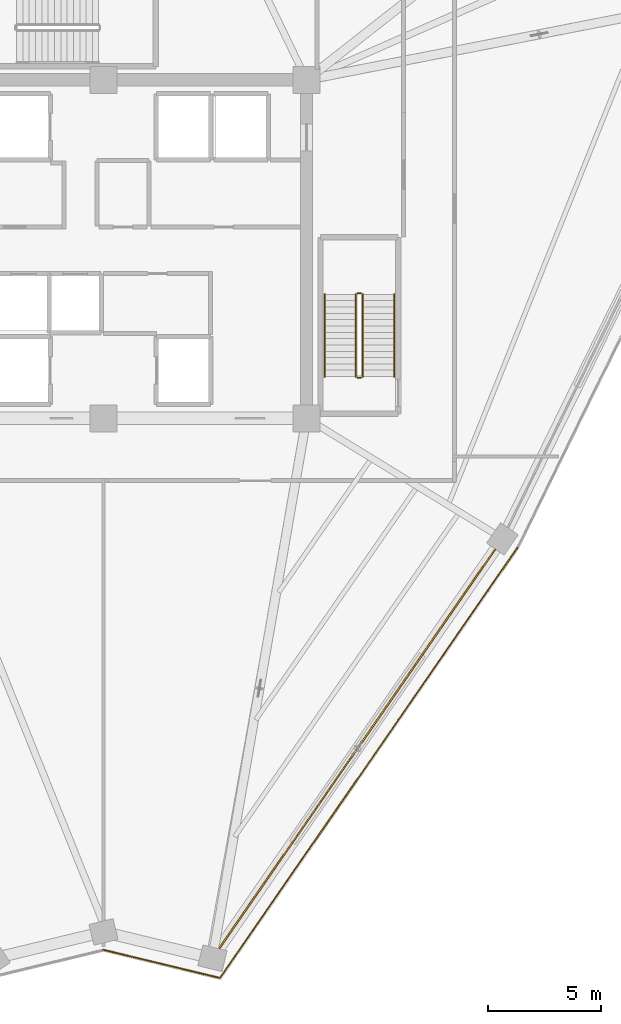
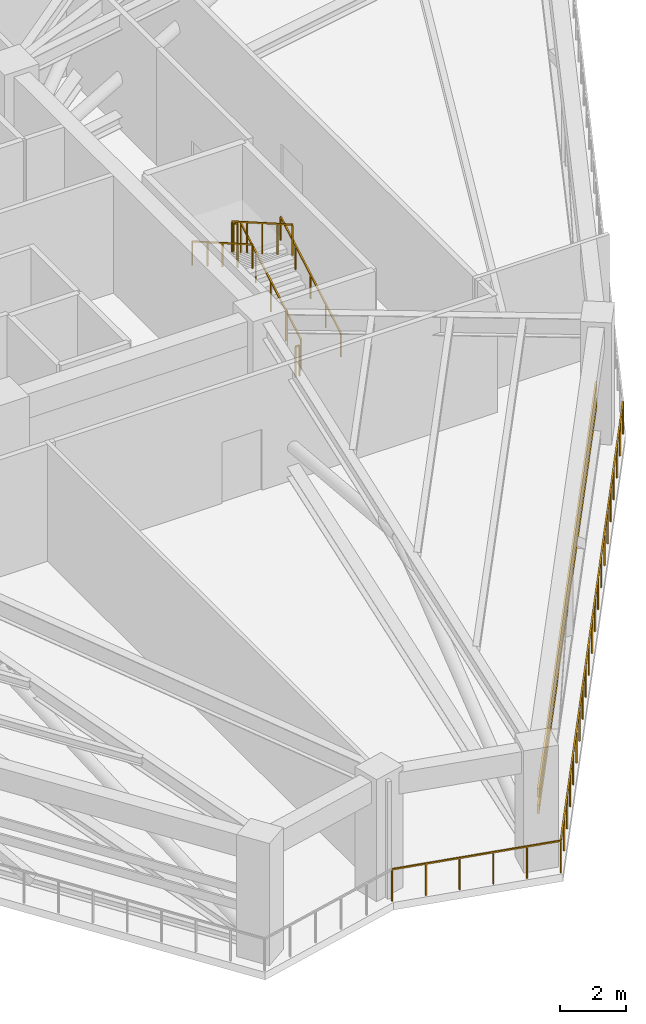
# One storey, part 19 of 22: 8 railings, 2 shading devices.
"""IFC4 building model written with IfcOpenShell, lengths in metres."""

import ifcopenshell
import ifcopenshell.guid

model = None  # the IFC model being written
_history = None  # IfcOwnerHistory: only IFC2X3 demands one
_inside = {}  # id of a spatial element -> (the spatial element, [elements in it])
_under = {}  # id of a project, library or spatial element -> (it, [spatial elements below it])
_declared = {}  # id of a project -> (the project, [libraries it declares])
_typed = {}  # id of a type object -> (the type object, [elements of that type])
_made_of = {}  # id of a material, layer set ... -> (it, [elements and type objects made of it])


def new_model(schema):
    """Start an empty IFC model of exactly this schema.

    Asked for "IFC4X3", IfcOpenShell would pick the latest addendum, in which some entities
    have other attributes; the version numbers below select the first issue.
    IFC2X3 requires an IfcOwnerHistory on every rooted entity: one is made here for all.
    """
    global model, _history
    if schema == "IFC4X3":
        model = ifcopenshell.file(schema_version=(4, 3, 0, 0))
    else:
        model = ifcopenshell.file(schema=schema)
    _inside.clear()
    _under.clear()
    _declared.clear()
    _typed.clear()
    _made_of.clear()
    _history = None
    if model.schema == "IFC2X3":
        org = make("IfcOrganization", Name="unknown")
        user = make(
            "IfcPersonAndOrganization",
            ThePerson=make("IfcPerson", FamilyName="unknown"),
            TheOrganization=org,
        )
        app = make(
            "IfcApplication",
            ApplicationDeveloper=org,
            Version="unknown",
            ApplicationFullName="unknown",
            ApplicationIdentifier="unknown",
        )
        _history = make(
            "IfcOwnerHistory",
            OwningUser=user,
            OwningApplication=app,
            ChangeAction="ADDED",
            CreationDate=0,
        )
    return model


def make(cls, **values):
    """One entity of the class cls with the attributes given. An attribute that is None is left unset."""
    return model.create_entity(
        cls, **{name: value for name, value in values.items() if value is not None}
    )


def rooted(cls, **values):
    """An entity with a GlobalId (a new one), such as an element, a storey or a relation."""
    return make(cls, GlobalId=ifcopenshell.guid.new(), OwnerHistory=_history, **values)


def si_unit(unit_type, name, prefix=None):
    """IfcSIUnit, for example si_unit("LENGTHUNIT", "METRE", prefix="MILLI")."""
    return make("IfcSIUnit", UnitType=unit_type, Prefix=prefix, Name=name)


def assignment(units):
    """IfcUnitAssignment: the units of a project."""
    return None if units is None else make("IfcUnitAssignment", Units=units)


def point(xyz):
    """IfcCartesianPoint."""
    return None if xyz is None else make("IfcCartesianPoint", Coordinates=xyz)


def direction(xyz):
    """IfcDirection."""
    return None if xyz is None else make("IfcDirection", DirectionRatios=xyz)


def frame(location, z_axis=None, x_axis=None):
    """IfcAxis2Placement3D, a coordinate frame: its origin and axes. An axis left out is left unset."""
    return make(
        "IfcAxis2Placement3D",
        Location=point(location),
        Axis=direction(z_axis),
        RefDirection=direction(x_axis),
    )


def frame_2d(location, x_axis=None):
    """IfcAxis2Placement2D, a coordinate frame in the plane: its origin and x axis."""
    return make(
        "IfcAxis2Placement2D", Location=point(location), RefDirection=direction(x_axis)
    )


def origin():
    """The frame at (0, 0, 0) with its axes left unset."""
    return frame((0.0, 0.0, 0.0))


def origin_2d():
    """The frame at (0, 0) in the plane with its x axis left unset."""
    return frame_2d((0.0, 0.0))


def place(relative_to, where):
    """IfcLocalPlacement: puts the frame where relative to a parent placement (None: the world)."""
    return make(
        "IfcLocalPlacement", PlacementRelTo=relative_to, RelativePlacement=where
    )


def context(
    kind, dimensions, precision=None, world=None, true_north=None, identifier=None
):
    """IfcGeometricRepresentationContext, for example the 3D "Model" context."""
    return make(
        "IfcGeometricRepresentationContext",
        ContextIdentifier=identifier,
        ContextType=kind,
        CoordinateSpaceDimension=dimensions,
        Precision=precision,
        WorldCoordinateSystem=world,
        TrueNorth=true_north,
    )


def subcontext(parent, identifier, kind, view, scale=None):
    """IfcGeometricRepresentationSubContext, for example "Body" below "Model"."""
    return make(
        "IfcGeometricRepresentationSubContext",
        ContextIdentifier=identifier,
        ContextType=kind,
        ParentContext=parent,
        TargetScale=scale,
        TargetView=view,
    )


def project(units=None, contexts=None):
    """IfcProject with its units and contexts."""
    return rooted(
        "IfcProject",
        Name="project",
        RepresentationContexts=contexts,
        UnitsInContext=assignment(units),
    )


def spatial(cls, under=None, at=None, **own):
    """A site, building, storey or space (cls), placed at a placement, below another one or the project."""
    s = rooted(cls, ObjectPlacement=at, **own)
    if under is not None:
        _under.setdefault(under.id(), (under, []))[1].append(s)
    return s


def profile(cls, at=None, kind="AREA", **sizes):
    """A parametric profile (cls). Its sizes go by their IFC names, for example OverallWidth=200.0."""
    return make(cls, ProfileType=kind, Position=at, **sizes)


def rectangle(**sizes):
    """IfcRectangleProfileDef."""
    return profile("IfcRectangleProfileDef", **sizes)


def extrude(swept, where, along, depth):
    """IfcExtrudedAreaSolid: the profile swept, set in the frame where, extruded along a direction by depth."""
    return make(
        "IfcExtrudedAreaSolid",
        SweptArea=swept,
        Position=where,
        ExtrudedDirection=direction(along),
        Depth=depth,
    )


def shape(context_of_items, identifier, shape_type, items):
    """IfcShapeRepresentation: the items that make up one representation, for example the "Body"."""
    return make(
        "IfcShapeRepresentation",
        ContextOfItems=context_of_items,
        RepresentationIdentifier=identifier,
        RepresentationType=shape_type,
        Items=items,
    )


def source(mapping_origin, context_of_items, identifier, shape_type, items):
    """IfcRepresentationMap: a shape defined once, which mapped items show again and again."""
    return make(
        "IfcRepresentationMap",
        MappingOrigin=mapping_origin,
        MappedRepresentation=shape(context_of_items, identifier, shape_type, items),
    )


def transform(
    local_origin,
    x_axis=None,
    y_axis=None,
    z_axis=None,
    scale=None,
    scale2=None,
    scale3=None,
    uniform=True,
):
    """IfcCartesianTransformationOperator3D, or its non-uniform kind. x_axis, y_axis, z_axis: its Axis1, 2, 3."""
    if uniform:
        return make(
            "IfcCartesianTransformationOperator3D",
            Axis1=direction(x_axis),
            Axis2=direction(y_axis),
            LocalOrigin=point(local_origin),
            Scale=scale,
            Axis3=direction(z_axis),
        )
    return make(
        "IfcCartesianTransformationOperator3DnonUniform",
        Axis1=direction(x_axis),
        Axis2=direction(y_axis),
        LocalOrigin=point(local_origin),
        Scale=scale,
        Axis3=direction(z_axis),
        Scale2=scale2,
        Scale3=scale3,
    )


def mapped(mapping_source, mapping_target):
    """IfcMappedItem: shows the shape of a source again, moved by a transform."""
    return make(
        "IfcMappedItem", MappingSource=mapping_source, MappingTarget=mapping_target
    )


def material(Name=None, Category=None):
    """IfcMaterial."""
    return make("IfcMaterial", Name=Name, Category=Category)


def material_profile(
    of_material, cross_section, Name=None, Category=None, Priority=None
):
    """IfcMaterialProfile: a cross section and its material."""
    return make(
        "IfcMaterialProfile",
        Name=Name,
        Material=of_material,
        Profile=cross_section,
        Priority=Priority,
        Category=Category,
    )


def profile_set(profiles, Name=None, composite=None):
    """IfcMaterialProfileSet."""
    return make(
        "IfcMaterialProfileSet",
        Name=Name,
        MaterialProfiles=profiles,
        CompositeProfile=composite,
    )


def made_of(thing, what):
    """Note that an element or type object is made of a material, layer set ...; save() writes the relation."""
    if what is not None:
        _made_of.setdefault(what.id(), (what, []))[1].append(thing)
    return thing


def type_object(cls, material=None, **own):
    """A type object (cls), such as IfcWallType, which elements share."""
    return made_of(rooted(cls, **own), material)


def element(
    cls,
    number,
    at=None,
    inside=None,
    cuts=None,
    type_object=None,
    material=None,
    context=None,
    identifier="Body",
    shape_type=None,
    held_by="IfcProductDefinitionShape",
    body=None,
    shapes=None,
    **own,
):
    """One element of the class cls, such as IfcWall. Its Tag is "e" and its number.

    at: its placement. inside: the storey or other place that contains it. cuts: it is an
    opening in that element (IfcRelVoidsElement). A single representation is given by context,
    identifier, shape_type and body (its items); several are given by shapes. held_by: the class
    of the entity that holds the representations. save() writes the other relations.
    """
    e = rooted(cls, Tag="e%d" % number, ObjectPlacement=at, **own)
    if body is not None:
        shapes = [shape(context, identifier, shape_type, body)]
    if shapes is not None:
        e.Representation = make(held_by, Representations=shapes)
    if inside is not None:
        _inside.setdefault(inside.id(), (inside, []))[1].append(e)
    if cuts is not None:
        rooted(
            "IfcRelVoidsElement", RelatingBuildingElement=cuts, RelatedOpeningElement=e
        )
    if type_object is not None:
        _typed.setdefault(type_object.id(), (type_object, []))[1].append(e)
    return made_of(e, material)


def aggregate(whole, parts):
    """IfcRelAggregates: a whole, such as a stair, and the parts it consists of."""
    return rooted("IfcRelAggregates", RelatingObject=whole, RelatedObjects=parts)


def save(model, path):
    """Write the relations noted so far, then the file.

    IfcRelAggregates (storeys below a building ...), IfcRelContainedInSpatialStructure (elements
    in a storey), IfcRelDefinesByType, IfcRelAssociatesMaterial and IfcRelDeclares: one each for
    every whole, place, type object, material and project.
    """
    for whole, parts in _under.values():
        aggregate(whole, parts)
    for where, things in _inside.values():
        rooted(
            "IfcRelContainedInSpatialStructure",
            RelatedElements=things,
            RelatingStructure=where,
        )
    for kind, things in _typed.values():
        rooted("IfcRelDefinesByType", RelatedObjects=things, RelatingType=kind)
    for what, things in _made_of.values():
        rooted("IfcRelAssociatesMaterial", RelatedObjects=things, RelatingMaterial=what)
    for by, libraries in _declared.values():
        rooted("IfcRelDeclares", RelatingContext=by, RelatedDefinitions=libraries)
    model.write(path)


model = new_model("IFC4")

# Units and contexts
model_context = context("Model", 3, precision=1e-05, world=origin(), true_north=direction((0.0, 1.0)))
body_context = subcontext(model_context, "Body", "Model", "MODEL_VIEW")
ifc_project = project(units=[si_unit("LENGTHUNIT", "METRE"), si_unit("AREAUNIT", "SQUARE_METRE"), si_unit("VOLUMEUNIT", "CUBIC_METRE"), si_unit("PLANEANGLEUNIT", "RADIAN"), si_unit("MASSUNIT", "GRAM", prefix="KILO")], contexts=[model_context])

# Site, building, storey
site_placement = place(None, origin())
site = spatial("IfcSite", under=ifc_project, at=site_placement, CompositionType="ELEMENT")
building_placement = place(site_placement, origin())
building = spatial("IfcBuilding", under=site, at=building_placement, Name="Liaohun Quay Tower", CompositionType="ELEMENT")
storey_placement = place(building_placement, frame((0.0, 0.0, 324.0)))
storey = spatial("IfcBuildingStorey", under=building, at=storey_placement, Name="L84", CompositionType="ELEMENT", Elevation=324.0)

# Railings
ifc_material_1 = material(Name="Galvanised and powder-coated steel", Category="steel")
railing_type_1 = type_object("IfcRailingType", Name="RLG-GUARD-EXT", PredefinedType="GUARDRAIL", material=ifc_material_1)
railing_1_placement = place(storey_placement, frame((78.345947265625, 40.763916015625, 0.0)))
element("IfcRailing", 1, at=railing_1_placement, inside=storey, type_object=railing_type_1, Name="L84 Open Refuge Band Perimeter Guardrail 10", PredefinedType="GUARDRAIL", context=body_context, shape_type="SweptSolid", body=[
    extrude(rectangle(XDim=0.048095703125, YDim=0.048095703125, at=origin_2d()), frame((0.0, 0.0, 1.17578125), z_axis=(-0.568676960941, -0.822560948559, 0.0), x_axis=(0.822560948559, -0.568676960941, 0.0)), (0.0, 0.0, 1.0), 23.179931640625),
    extrude(rectangle(XDim=0.0419921875, YDim=0.0419921875, at=origin_2d()), origin(), (0.0, 0.0, 1.0), 1.15185546875),
    extrude(rectangle(XDim=0.0419921875, YDim=0.0419921875, at=origin_2d()), frame((-0.6591796875, -0.953369140625, 0.0)), (0.0, 0.0, 1.0), 1.15185546875),
    extrude(rectangle(XDim=0.0419921875, YDim=0.0419921875, at=origin_2d()), frame((-1.318115234375, -1.90673828125, 0.0)), (0.0, 0.0, 1.0), 1.15185546875),
    extrude(rectangle(XDim=0.0419921875, YDim=0.0419921875, at=origin_2d()), frame((-1.977294921875, -2.860107421875, 0.0)), (0.0, 0.0, 1.0), 1.15185546875),
    extrude(rectangle(XDim=0.0419921875, YDim=0.0419921875, at=origin_2d()), frame((-2.636474609375, -3.8134765625, 0.0)), (0.0, 0.0, 1.0), 1.15185546875),
    extrude(rectangle(XDim=0.0419921875, YDim=0.0419921875, at=origin_2d()), frame((-3.29541015625, -4.7666015625, 0.0)), (0.0, 0.0, 1.0), 1.15185546875),
    extrude(rectangle(XDim=0.0419921875, YDim=0.0419921875, at=origin_2d()), frame((-3.95458984375, -5.719970703125, 0.0)), (0.0, 0.0, 1.0), 1.15185546875),
    extrude(rectangle(XDim=0.0419921875, YDim=0.0419921875, at=origin_2d()), frame((-4.61376953125, -6.67333984375, 0.0)), (0.0, 0.0, 1.0), 1.15185546875),
    extrude(rectangle(XDim=0.0419921875, YDim=0.0419921875, at=origin_2d()), frame((-5.272705078125, -7.626708984375, 0.0)), (0.0, 0.0, 1.0), 1.15185546875),
    extrude(rectangle(XDim=0.0419921875, YDim=0.0419921875, at=origin_2d()), frame((-5.931884765625, -8.580078125, 0.0)), (0.0, 0.0, 1.0), 1.15185546875),
    extrude(rectangle(XDim=0.0419921875, YDim=0.0419921875, at=origin_2d()), frame((-6.5908203125, -9.533447265625, 0.0)), (0.0, 0.0, 1.0), 1.15185546875),
    extrude(rectangle(XDim=0.0419921875, YDim=0.0419921875, at=origin_2d()), frame((-7.25, -10.48681640625, 0.0)), (0.0, 0.0, 1.0), 1.15185546875),
    extrude(rectangle(XDim=0.0419921875, YDim=0.0419921875, at=origin_2d()), frame((-7.9091796875, -11.440185546875, 0.0)), (0.0, 0.0, 1.0), 1.15185546875),
    extrude(rectangle(XDim=0.0419921875, YDim=0.0419921875, at=origin_2d()), frame((-8.568115234375, -12.3935546875, 0.0)), (0.0, 0.0, 1.0), 1.15185546875),
    extrude(rectangle(XDim=0.0419921875, YDim=0.0419921875, at=origin_2d()), frame((-9.227294921875, -13.346923828125, 0.0)), (0.0, 0.0, 1.0), 1.15185546875),
    extrude(rectangle(XDim=0.0419921875, YDim=0.0419921875, at=origin_2d()), frame((-9.886474609375, -14.30029296875, 0.0)), (0.0, 0.0, 1.0), 1.15185546875),
    extrude(rectangle(XDim=0.0419921875, YDim=0.0419921875, at=origin_2d()), frame((-10.54541015625, -15.25341796875, 0.0)), (0.0, 0.0, 1.0), 1.15185546875),
    extrude(rectangle(XDim=0.0419921875, YDim=0.0419921875, at=origin_2d()), frame((-11.20458984375, -16.206787109375, 0.0)), (0.0, 0.0, 1.0), 1.15185546875),
    extrude(rectangle(XDim=0.0419921875, YDim=0.0419921875, at=origin_2d()), frame((-11.86376953125, -17.16015625, 0.0)), (0.0, 0.0, 1.0), 1.15185546875),
    extrude(rectangle(XDim=0.0419921875, YDim=0.0419921875, at=origin_2d()), frame((-12.522705078125, -18.113525390625, 0.0)), (0.0, 0.0, 1.0), 1.15185546875),
    extrude(rectangle(XDim=0.0419921875, YDim=0.0419921875, at=origin_2d()), frame((-13.181884765625, -19.06689453125, 0.0)), (0.0, 0.0, 1.0), 1.15185546875),
])
railing_2_placement = place(storey_placement, frame((65.1640625, 21.697021484375, 0.0)))
element("IfcRailing", 2, at=railing_2_placement, inside=storey, type_object=railing_type_1, Name="L84 Open Refuge Band Perimeter Guardrail 11", PredefinedType="GUARDRAIL", context=body_context, shape_type="SweptSolid", body=[
    extrude(rectangle(XDim=0.048095703125, YDim=0.048095703125, at=origin_2d()), frame((0.0, 0.0, 1.17578125), z_axis=(-0.972099556279, 0.234568652385, 0.0), x_axis=(-0.234568652385, -0.972099556279, 0.0)), (0.0, 0.0, 1.0), 5.312255859375),
    extrude(rectangle(XDim=0.0419921875, YDim=0.0419921875, at=origin_2d()), origin(), (0.0, 0.0, 1.0), 1.15185546875),
    extrude(rectangle(XDim=0.0419921875, YDim=0.0419921875, at=origin_2d()), frame((-1.03271484375, 0.249267578125, 0.0)), (0.0, 0.0, 1.0), 1.15185546875),
    extrude(rectangle(XDim=0.0419921875, YDim=0.0419921875, at=origin_2d()), frame((-2.065673828125, 0.49853515625, 0.0)), (0.0, 0.0, 1.0), 1.15185546875),
    extrude(rectangle(XDim=0.0419921875, YDim=0.0419921875, at=origin_2d()), frame((-3.098388671875, 0.74755859375, 0.0)), (0.0, 0.0, 1.0), 1.15185546875),
    extrude(rectangle(XDim=0.0419921875, YDim=0.0419921875, at=origin_2d()), frame((-4.13134765625, 0.996826171875, 0.0)), (0.0, 0.0, 1.0), 1.15185546875),
    extrude(rectangle(XDim=0.0419921875, YDim=0.0419921875, at=origin_2d()), frame((-5.1640625, 1.24609375, 0.0)), (0.0, 0.0, 1.0), 1.15185546875),
])
ifc_material_2 = material(Name="Painted tubular steel", Category="steel")
railing_type_2 = type_object("IfcRailingType", Name="RLG-GUARD-STR", PredefinedType="GUARDRAIL", material=ifc_material_2)
railing_3_placement = place(storey_placement, frame((71.489990234375, 48.35009765625, 0.16064453125)))
element("IfcRailing", 3, at=railing_3_placement, inside=storey, type_object=railing_type_2, Name="L84 ST-2 stair guard 1", PredefinedType="GUARDRAIL", context=body_context, shape_type="SweptSolid", body=[
    extrude(rectangle(XDim=0.048095703125, YDim=0.048095703125, at=origin_2d()), frame((0.0, 0.0, 1.1259765625), z_axis=(0.0, 0.8672749571, 0.497829437445), x_axis=(-1.0, 0.0, 0.0)), (0.0, 0.0, 1.0), 4.197021484375),
    extrude(rectangle(XDim=0.0419921875, YDim=0.0419921875, at=origin_2d()), origin(), (0.0, 0.0, 1.0), 1.101806640625),
    extrude(rectangle(XDim=0.0419921875, YDim=0.0419921875, at=origin_2d()), frame((0.0, 0.909912109375, 0.5224609375)), (0.0, 0.0, 1.0), 1.101806640625),
    extrude(rectangle(XDim=0.0419921875, YDim=0.0419921875, at=origin_2d()), frame((0.0, 1.81982421875, 1.044677734375)), (0.0, 0.0, 1.0), 1.101806640625),
    extrude(rectangle(XDim=0.0419921875, YDim=0.0419921875, at=origin_2d()), frame((0.0, 2.72998046875, 1.56689453125)), (0.0, 0.0, 1.0), 1.101806640625),
    extrude(rectangle(XDim=0.0419921875, YDim=0.0419921875, at=origin_2d()), frame((0.0, 3.639892578125, 2.08935546875)), (0.0, 0.0, 1.0), 1.101806640625),
])
railing_4_placement = place(storey_placement, frame((71.409912109375, 52.0400390625, 2.25)))
element("IfcRailing", 4, at=railing_4_placement, inside=storey, type_object=railing_type_2, Name="L84 ST-2 stair guard 2", PredefinedType="GUARDRAIL", context=body_context, shape_type="SweptSolid", body=[
    extrude(rectangle(XDim=0.048095703125, YDim=0.048095703125, at=origin_2d()), frame((0.0, 0.0, 1.1259765625), z_axis=(-1.0, 0.0, 0.0), x_axis=(0.0, -1.0, 0.0)), (0.0, 0.0, 1.0), 0.139892578125),
    extrude(rectangle(XDim=0.0419921875, YDim=0.0419921875, at=origin_2d()), origin(), (0.0, 0.0, 1.0), 1.101806640625),
    extrude(rectangle(XDim=0.0419921875, YDim=0.0419921875, at=origin_2d()), frame((-0.139892578125, 0.0, 0.0)), (0.0, 0.0, 1.0), 1.101806640625),
])
railing_5_placement = place(storey_placement, frame((71.18994140625, 51.989990234375, 2.41064453125)))
element("IfcRailing", 5, at=railing_5_placement, inside=storey, type_object=railing_type_2, Name="L84 ST-2 stair guard 3", PredefinedType="GUARDRAIL", context=body_context, shape_type="SweptSolid", body=[
    extrude(rectangle(XDim=0.048095703125, YDim=0.048095703125, at=origin_2d()), frame((0.0, 0.0, 1.1259765625), z_axis=(0.0, -0.8672749571, 0.497829437445), x_axis=(1.0, 0.0, 0.0)), (0.0, 0.0, 1.0), 4.197021484375),
    extrude(rectangle(XDim=0.0419921875, YDim=0.0419921875, at=origin_2d()), origin(), (0.0, 0.0, 1.0), 1.101806640625),
    extrude(rectangle(XDim=0.0419921875, YDim=0.0419921875, at=origin_2d()), frame((0.0, -0.909912109375, 0.5224609375)), (0.0, 0.0, 1.0), 1.101806640625),
    extrude(rectangle(XDim=0.0419921875, YDim=0.0419921875, at=origin_2d()), frame((0.0, -1.81982421875, 1.044677734375)), (0.0, 0.0, 1.0), 1.101806640625),
    extrude(rectangle(XDim=0.0419921875, YDim=0.0419921875, at=origin_2d()), frame((0.0, -2.72998046875, 1.56689453125)), (0.0, 0.0, 1.0), 1.101806640625),
    extrude(rectangle(XDim=0.0419921875, YDim=0.0419921875, at=origin_2d()), frame((0.0, -3.639892578125, 2.08935546875)), (0.0, 0.0, 1.0), 1.101806640625),
])
railing_6_placement = place(storey_placement, frame((71.409912109375, 48.300048828125, 0.0)))
element("IfcRailing", 6, at=railing_6_placement, inside=storey, type_object=railing_type_2, Name="L84 ST-2 stair guard 4", PredefinedType="GUARDRAIL", context=body_context, shape_type="SweptSolid", body=[
    extrude(rectangle(XDim=0.048095703125, YDim=0.048095703125, at=origin_2d()), frame((0.0, 0.0, 1.1259765625), z_axis=(-1.0, 0.0, 0.0), x_axis=(0.0, -1.0, 0.0)), (0.0, 0.0, 1.0), 0.139892578125),
    extrude(rectangle(XDim=0.0419921875, YDim=0.0419921875, at=origin_2d()), origin(), (0.0, 0.0, 1.0), 1.101806640625),
    extrude(rectangle(XDim=0.0419921875, YDim=0.0419921875, at=origin_2d()), frame((-0.139892578125, 0.0, 0.0)), (0.0, 0.0, 1.0), 1.101806640625),
])
ifc_material_3 = material(Name="Brushed stainless steel", Category="steel")
railing_type_3 = type_object("IfcRailingType", Name="RLG-HND-STR", PredefinedType="HANDRAIL", material=ifc_material_3)
railing_7_placement = place(storey_placement, frame((72.8798828125, 48.35009765625, 0.16064453125)))
element("IfcRailing", 7, at=railing_7_placement, inside=storey, type_object=railing_type_3, Name="L84 ST-2 stair handrail 1", PredefinedType="HANDRAIL", context=body_context, shape_type="SweptSolid", body=[
    extrude(rectangle(XDim=0.048095703125, YDim=0.048095703125, at=origin_2d()), frame((0.0, 0.0, 0.8759765625), z_axis=(0.0, 0.8672749571, 0.497829437445), x_axis=(-1.0, 0.0, 0.0)), (0.0, 0.0, 1.0), 4.197021484375),
    extrude(rectangle(XDim=0.0419921875, YDim=0.0419921875, at=origin_2d()), origin(), (0.0, 0.0, 1.0), 0.851806640625),
    extrude(rectangle(XDim=0.0419921875, YDim=0.0419921875, at=origin_2d()), frame((0.0, 0.909912109375, 0.5224609375)), (0.0, 0.0, 1.0), 0.851806640625),
    extrude(rectangle(XDim=0.0419921875, YDim=0.0419921875, at=origin_2d()), frame((0.0, 1.81982421875, 1.044677734375)), (0.0, 0.0, 1.0), 0.851806640625),
    extrude(rectangle(XDim=0.0419921875, YDim=0.0419921875, at=origin_2d()), frame((0.0, 2.72998046875, 1.56689453125)), (0.0, 0.0, 1.0), 0.851806640625),
    extrude(rectangle(XDim=0.0419921875, YDim=0.0419921875, at=origin_2d()), frame((0.0, 3.639892578125, 2.08935546875)), (0.0, 0.0, 1.0), 0.851806640625),
])
railing_8_placement = place(storey_placement, frame((69.800048828125, 51.989990234375, 2.41064453125)))
element("IfcRailing", 8, at=railing_8_placement, inside=storey, type_object=railing_type_3, Name="L84 ST-2 stair handrail 2", PredefinedType="HANDRAIL", context=body_context, shape_type="SweptSolid", body=[
    extrude(rectangle(XDim=0.048095703125, YDim=0.048095703125, at=origin_2d()), frame((0.0, 0.0, 0.8759765625), z_axis=(0.0, -0.8672749571, 0.497829437445), x_axis=(1.0, 0.0, 0.0)), (0.0, 0.0, 1.0), 4.197021484375),
    extrude(rectangle(XDim=0.0419921875, YDim=0.0419921875, at=origin_2d()), origin(), (0.0, 0.0, 1.0), 0.851806640625),
    extrude(rectangle(XDim=0.0419921875, YDim=0.0419921875, at=origin_2d()), frame((0.0, -0.909912109375, 0.5224609375)), (0.0, 0.0, 1.0), 0.851806640625),
    extrude(rectangle(XDim=0.0419921875, YDim=0.0419921875, at=origin_2d()), frame((0.0, -1.81982421875, 1.044677734375)), (0.0, 0.0, 1.0), 0.851806640625),
    extrude(rectangle(XDim=0.0419921875, YDim=0.0419921875, at=origin_2d()), frame((0.0, -2.72998046875, 1.56689453125)), (0.0, 0.0, 1.0), 0.851806640625),
    extrude(rectangle(XDim=0.0419921875, YDim=0.0419921875, at=origin_2d()), frame((0.0, -3.639892578125, 2.08935546875)), (0.0, 0.0, 1.0), 0.851806640625),
])

# Shading devices
ifc_material_4 = material(Name="Fluorocarbon-coated aluminium", Category="aluminium")
ifc_material_profile = material_profile(ifc_material_4, rectangle(XDim=0.06494140625, YDim=0.320068359375, at=origin_2d()), Name="ALU-LVR-320x65")
ifc_profile_set = profile_set([ifc_material_profile], Name="Fluorocarbon-coated aluminium")
shading_device_type = type_object("IfcShadingDeviceType", Name="SHD-LVR-REF", PredefinedType="USERDEFINED", material=ifc_profile_set)
shared_shape = source(origin(), body_context, "Body", "SweptSolid", [
    extrude(rectangle(XDim=0.06494140625, YDim=0.320068359375, at=origin_2d()), origin(), (0.0, 0.0, 1.0), 21.5146484375),
])
for number, where, z_axis, x_axis, name in (
    (9, (77.373046875, 40.7099609375, 1.550048828125), (-0.568685875627, -0.822554785326, 0.0), (0.822554785326, -0.568685875627, 0.0), "L84 Refuge Plant Acoustic Louvre Blade LV-1-07"),
    (10, (77.373046875, 40.7099609375, 2.14990234375), (-0.568685875627, -0.822554785326, 0.0), (0.822554785326, -0.568685875627, 0.0), "L84 Refuge Plant Acoustic Louvre Blade LV-1-08"),
):
    element("IfcShadingDevice", number, at=place(storey_placement, frame(where, z_axis=z_axis, x_axis=x_axis)), inside=storey, type_object=shading_device_type, Name=name, ObjectType="LOUVRE", PredefinedType="USERDEFINED", context=body_context, shape_type="MappedRepresentation", body=[
        mapped(shared_shape, transform((0.0, 0.0, 0.0), x_axis=(1.0, 0.0, 0.0), y_axis=(0.0, 1.0, 0.0), z_axis=(0.0, 0.0, 1.0), scale=1.0)),
    ])

save(model, "model.ifc")
